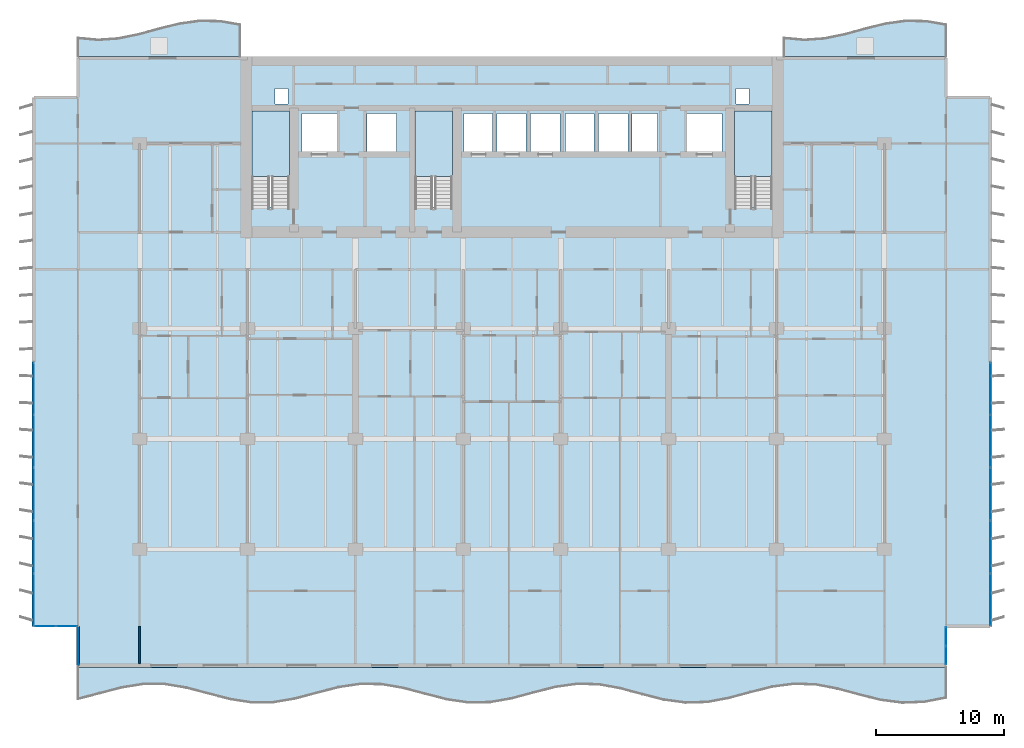
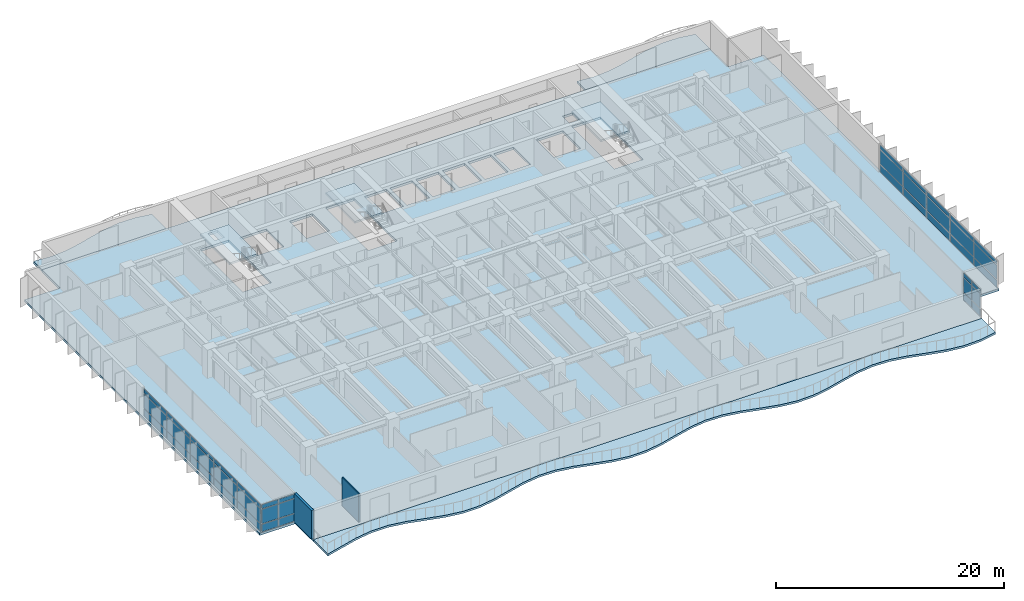
# One storey, part 5 of 18: 42 plates, 7 slabs, 2 walls, 7 elements without a shape of their own.
"""IFC4 building model written with IfcOpenShell, lengths in metres."""

from ifc_helpers import new_model, si_unit, direction, frame, frame_2d, origin, origin_2d, place, context, subcontext, project, spatial, polyline, rectangle, outline, extrude, material, layer, layer_set, type_object, element, aggregate, save


model = new_model("IFC4")

# Units and contexts
model_context = context("Model", 3, precision=1e-05, world=origin(), true_north=direction((0.0, 1.0)))
body_context = subcontext(model_context, "Body", "Model", "MODEL_VIEW")
ifc_project = project(units=[si_unit("LENGTHUNIT", "METRE"), si_unit("AREAUNIT", "SQUARE_METRE"), si_unit("VOLUMEUNIT", "CUBIC_METRE"), si_unit("PLANEANGLEUNIT", "RADIAN"), si_unit("MASSUNIT", "GRAM", prefix="KILO")], contexts=[model_context])

# Site, building, storey
site_placement = place(None, origin())
site = spatial("IfcSite", under=ifc_project, at=site_placement, CompositionType="ELEMENT")
building_placement = place(site_placement, origin())
building = spatial("IfcBuilding", under=site, at=building_placement, Name="Caelmar Bay Residences", CompositionType="ELEMENT")
storey_placement = place(building_placement, frame((0.0, 0.0, 43.199951171875)))
storey = spatial("IfcBuildingStorey", under=building, at=storey_placement, Name="L10", CompositionType="ELEMENT", Elevation=43.199951171875)

# Curtain wall, plates
ifc_material_1 = material(Name="Anodised bronze aluminium 6063-T6 and laminated glass", Category="aluminium")
ifc_layer_1 = layer(ifc_material_1, 0.179931640625)
ifc_layer_set_1 = layer_set([ifc_layer_1], Name="Anodised bronze aluminium 6063-T6 and laminated glass")
curtain_wall_type_1 = type_object("IfcCurtainWallType", Name="CW6-NTC", PredefinedType="NOTDEFINED", material=ifc_layer_set_1)
curtain_wall_1_placement = place(storey_placement, origin())
curtain_wall_1 = element("IfcCurtainWall", 1, at=curtain_wall_1_placement, inside=storey, type_object=curtain_wall_type_1, Name="CW6 curtain wall L10", PredefinedType="NOTDEFINED")
ifc_material_2 = material(Name="Bronze-tinted laminated low-E hurricane glass 28 mm", Category="glass")
ifc_layer_2 = layer(ifc_material_2, 0.028076171875)
ifc_layer_set_2 = layer_set([ifc_layer_2], Name="Bronze-tinted laminated low-E hurricane glass 28 mm")
plate_type = type_object("IfcPlateType", Name="CWP-GLZ28", PredefinedType="CURTAIN_PANEL", material=ifc_layer_set_2)
plate_1_placement = place(storey_placement, frame((2.532470703125, 6.199951171875, 0.080078125), z_axis=(0.0, 0.0, 1.0), x_axis=(1.0, 0.0, 0.0)))
plate_1 = element("IfcPlate", 2, at=plate_1_placement, type_object=plate_type, Name="CW6 panel 1.1", PredefinedType="CURTAIN_PANEL", context=body_context, shape_type="SweptSolid", body=[
    extrude(rectangle(XDim=1.60498046875, YDim=0.028076171875, at=origin_2d()), origin(), (0.0, 0.0, 1.0), 0.780029296875),
])
plate_2_placement = place(storey_placement, frame((2.532470703125, 6.199951171875, 0.93994140625), z_axis=(0.0, 0.0, 1.0), x_axis=(1.0, 0.0, 0.0)))
plate_2 = element("IfcPlate", 3, at=plate_2_placement, type_object=plate_type, Name="CW6 panel 1.2", PredefinedType="CURTAIN_PANEL", context=body_context, shape_type="SweptSolid", body=[
    extrude(rectangle(XDim=1.60498046875, YDim=0.028076171875, at=origin_2d()), origin(), (0.0, 0.0, 1.0), 1.52001953125),
])
plate_3_placement = place(storey_placement, frame((2.532470703125, 6.199951171875, 2.5400390625), z_axis=(0.0, 0.0, 1.0), x_axis=(1.0, 0.0, 0.0)))
plate_3 = element("IfcPlate", 4, at=plate_3_placement, type_object=plate_type, Name="CW6 panel 1.3", PredefinedType="CURTAIN_PANEL", context=body_context, shape_type="SweptSolid", body=[
    extrude(rectangle(XDim=1.60498046875, YDim=0.028076171875, at=origin_2d()), origin(), (0.0, 0.0, 1.0), 0.429931640625),
])
plate_4_placement = place(storey_placement, frame((4.217529296875, 6.199951171875, 0.080078125), z_axis=(0.0, 0.0, 1.0), x_axis=(1.0, 0.0, 0.0)))
plate_4 = element("IfcPlate", 5, at=plate_4_placement, type_object=plate_type, Name="CW6 panel 2.1", PredefinedType="CURTAIN_PANEL", context=body_context, shape_type="SweptSolid", body=[
    extrude(rectangle(XDim=1.60498046875, YDim=0.028076171875, at=origin_2d()), origin(), (0.0, 0.0, 1.0), 0.780029296875),
])
plate_5_placement = place(storey_placement, frame((4.217529296875, 6.199951171875, 0.93994140625), z_axis=(0.0, 0.0, 1.0), x_axis=(1.0, 0.0, 0.0)))
plate_5 = element("IfcPlate", 6, at=plate_5_placement, type_object=plate_type, Name="CW6 panel 2.2", PredefinedType="CURTAIN_PANEL", context=body_context, shape_type="SweptSolid", body=[
    extrude(rectangle(XDim=1.60498046875, YDim=0.028076171875, at=origin_2d()), origin(), (0.0, 0.0, 1.0), 1.52001953125),
])
plate_6_placement = place(storey_placement, frame((4.217529296875, 6.199951171875, 2.5400390625), z_axis=(0.0, 0.0, 1.0), x_axis=(1.0, 0.0, 0.0)))
plate_6 = element("IfcPlate", 7, at=plate_6_placement, type_object=plate_type, Name="CW6 panel 2.3", PredefinedType="CURTAIN_PANEL", context=body_context, shape_type="SweptSolid", body=[
    extrude(rectangle(XDim=1.60498046875, YDim=0.028076171875, at=origin_2d()), origin(), (0.0, 0.0, 1.0), 0.429931640625),
])
aggregate(curtain_wall_1, [plate_1, plate_2, plate_3, plate_4, plate_5, plate_6])

curtain_wall_2_placement = place(storey_placement, origin())
curtain_wall_2 = element("IfcCurtainWall", 8, at=curtain_wall_2_placement, inside=storey, type_object=curtain_wall_type_1, Name="CW6 curtain wall L10", PredefinedType="NOTDEFINED")
plate_7_placement = place(storey_placement, frame((72.699951171875, 3.9326171875, 0.080078125), z_axis=(0.0, 0.0, 1.0), x_axis=(0.0, 1.0, 0.0)))
plate_7 = element("IfcPlate", 9, at=plate_7_placement, type_object=plate_type, Name="CW6 panel 1.1", PredefinedType="CURTAIN_PANEL", context=body_context, shape_type="SweptSolid", body=[
    extrude(rectangle(XDim=1.405029296875, YDim=0.028076171875, at=origin_2d()), origin(), (0.0, 0.0, 1.0), 0.780029296875),
])
plate_8_placement = place(storey_placement, frame((72.699951171875, 3.9326171875, 0.93994140625), z_axis=(0.0, 0.0, 1.0), x_axis=(0.0, 1.0, 0.0)))
plate_8 = element("IfcPlate", 10, at=plate_8_placement, type_object=plate_type, Name="CW6 panel 1.2", PredefinedType="CURTAIN_PANEL", context=body_context, shape_type="SweptSolid", body=[
    extrude(rectangle(XDim=1.405029296875, YDim=0.028076171875, at=origin_2d()), origin(), (0.0, 0.0, 1.0), 1.52001953125),
])
plate_9_placement = place(storey_placement, frame((72.699951171875, 3.9326171875, 2.5400390625), z_axis=(0.0, 0.0, 1.0), x_axis=(0.0, 1.0, 0.0)))
plate_9 = element("IfcPlate", 11, at=plate_9_placement, type_object=plate_type, Name="CW6 panel 1.3", PredefinedType="CURTAIN_PANEL", context=body_context, shape_type="SweptSolid", body=[
    extrude(rectangle(XDim=1.405029296875, YDim=0.028076171875, at=origin_2d()), origin(), (0.0, 0.0, 1.0), 0.429931640625),
])
plate_10_placement = place(storey_placement, frame((72.699951171875, 5.41748046875, 0.080078125), z_axis=(0.0, 0.0, 1.0), x_axis=(0.0, 1.0, 0.0)))
plate_10 = element("IfcPlate", 12, at=plate_10_placement, type_object=plate_type, Name="CW6 panel 2.1", PredefinedType="CURTAIN_PANEL", context=body_context, shape_type="SweptSolid", body=[
    extrude(rectangle(XDim=1.405029296875, YDim=0.028076171875, at=origin_2d()), origin(), (0.0, 0.0, 1.0), 0.780029296875),
])
plate_11_placement = place(storey_placement, frame((72.699951171875, 5.41748046875, 0.93994140625), z_axis=(0.0, 0.0, 1.0), x_axis=(0.0, 1.0, 0.0)))
plate_11 = element("IfcPlate", 13, at=plate_11_placement, type_object=plate_type, Name="CW6 panel 2.2", PredefinedType="CURTAIN_PANEL", context=body_context, shape_type="SweptSolid", body=[
    extrude(rectangle(XDim=1.405029296875, YDim=0.028076171875, at=origin_2d()), origin(), (0.0, 0.0, 1.0), 1.52001953125),
])
plate_12_placement = place(storey_placement, frame((72.699951171875, 5.41748046875, 2.5400390625), z_axis=(0.0, 0.0, 1.0), x_axis=(0.0, 1.0, 0.0)))
plate_12 = element("IfcPlate", 14, at=plate_12_placement, type_object=plate_type, Name="CW6 panel 2.3", PredefinedType="CURTAIN_PANEL", context=body_context, shape_type="SweptSolid", body=[
    extrude(rectangle(XDim=1.405029296875, YDim=0.028076171875, at=origin_2d()), origin(), (0.0, 0.0, 1.0), 0.429931640625),
])
aggregate(curtain_wall_2, [plate_7, plate_8, plate_9, plate_10, plate_11, plate_12])

ifc_layer_3 = layer(ifc_material_1, 0.179931640625)
ifc_layer_set_3 = layer_set([ifc_layer_3], Name="Anodised bronze aluminium 6063-T6 and laminated glass")
curtain_wall_type_2 = type_object("IfcCurtainWallType", Name="CW2-Z1", PredefinedType="NOTDEFINED", material=ifc_layer_set_3)
curtain_wall_3_placement = place(storey_placement, origin())
curtain_wall_3 = element("IfcCurtainWall", 15, at=curtain_wall_3_placement, inside=storey, type_object=curtain_wall_type_2, Name="CW2 curtain wall L10", PredefinedType="NOTDEFINED")
plate_13_placement = place(storey_placement, frame((1.64990234375, 8.280029296875, 0.080078125), z_axis=(0.0, 0.0, 1.0), x_axis=(0.0, 1.0, 0.0)))
plate_13 = element("IfcPlate", 16, at=plate_13_placement, type_object=plate_type, Name="CW2 panel 1.1", PredefinedType="CURTAIN_PANEL", context=body_context, shape_type="SweptSolid", body=[
    extrude(rectangle(XDim=4.0, YDim=0.028076171875, at=origin_2d()), origin(), (0.0, 0.0, 1.0), 0.780029296875),
])
plate_14_placement = place(storey_placement, frame((1.64990234375, 8.280029296875, 0.93994140625), z_axis=(0.0, 0.0, 1.0), x_axis=(0.0, 1.0, 0.0)))
plate_14 = element("IfcPlate", 17, at=plate_14_placement, type_object=plate_type, Name="CW2 panel 1.2", PredefinedType="CURTAIN_PANEL", context=body_context, shape_type="SweptSolid", body=[
    extrude(rectangle(XDim=4.0, YDim=0.028076171875, at=origin_2d()), origin(), (0.0, 0.0, 1.0), 1.52001953125),
])
plate_15_placement = place(storey_placement, frame((1.64990234375, 8.280029296875, 2.5400390625), z_axis=(0.0, 0.0, 1.0), x_axis=(0.0, 1.0, 0.0)))
plate_15 = element("IfcPlate", 18, at=plate_15_placement, type_object=plate_type, Name="CW2 panel 1.3", PredefinedType="CURTAIN_PANEL", context=body_context, shape_type="SweptSolid", body=[
    extrude(rectangle(XDim=4.0, YDim=0.028076171875, at=origin_2d()), origin(), (0.0, 0.0, 1.0), 0.429931640625),
])
plate_16_placement = place(storey_placement, frame((1.64990234375, 12.3798828125, 0.080078125), z_axis=(0.0, 0.0, 1.0), x_axis=(0.0, 1.0, 0.0)))
plate_16 = element("IfcPlate", 19, at=plate_16_placement, type_object=plate_type, Name="CW2 panel 2.1", PredefinedType="CURTAIN_PANEL", context=body_context, shape_type="SweptSolid", body=[
    extrude(rectangle(XDim=4.0400390625, YDim=0.028076171875, at=origin_2d()), origin(), (0.0, 0.0, 1.0), 0.780029296875),
])
plate_17_placement = place(storey_placement, frame((1.64990234375, 12.3798828125, 0.93994140625), z_axis=(0.0, 0.0, 1.0), x_axis=(0.0, 1.0, 0.0)))
plate_17 = element("IfcPlate", 20, at=plate_17_placement, type_object=plate_type, Name="CW2 panel 2.2", PredefinedType="CURTAIN_PANEL", context=body_context, shape_type="SweptSolid", body=[
    extrude(rectangle(XDim=4.0400390625, YDim=0.028076171875, at=origin_2d()), origin(), (0.0, 0.0, 1.0), 1.52001953125),
])
plate_18_placement = place(storey_placement, frame((1.64990234375, 12.3798828125, 2.5400390625), z_axis=(0.0, 0.0, 1.0), x_axis=(0.0, 1.0, 0.0)))
plate_18 = element("IfcPlate", 21, at=plate_18_placement, type_object=plate_type, Name="CW2 panel 2.3", PredefinedType="CURTAIN_PANEL", context=body_context, shape_type="SweptSolid", body=[
    extrude(rectangle(XDim=4.0400390625, YDim=0.028076171875, at=origin_2d()), origin(), (0.0, 0.0, 1.0), 0.429931640625),
])
plate_19_placement = place(storey_placement, frame((1.64990234375, 16.5, 0.080078125), z_axis=(0.0, 0.0, 1.0), x_axis=(0.0, 1.0, 0.0)))
plate_19 = element("IfcPlate", 22, at=plate_19_placement, type_object=plate_type, Name="CW2 panel 3.1", PredefinedType="CURTAIN_PANEL", context=body_context, shape_type="SweptSolid", body=[
    extrude(rectangle(XDim=4.0400390625, YDim=0.028076171875, at=origin_2d()), origin(), (0.0, 0.0, 1.0), 0.780029296875),
])
plate_20_placement = place(storey_placement, frame((1.64990234375, 16.5, 0.93994140625), z_axis=(0.0, 0.0, 1.0), x_axis=(0.0, 1.0, 0.0)))
plate_20 = element("IfcPlate", 23, at=plate_20_placement, type_object=plate_type, Name="CW2 panel 3.2", PredefinedType="CURTAIN_PANEL", context=body_context, shape_type="SweptSolid", body=[
    extrude(rectangle(XDim=4.0400390625, YDim=0.028076171875, at=origin_2d()), origin(), (0.0, 0.0, 1.0), 1.52001953125),
])
plate_21_placement = place(storey_placement, frame((1.64990234375, 16.5, 2.5400390625), z_axis=(0.0, 0.0, 1.0), x_axis=(0.0, 1.0, 0.0)))
plate_21 = element("IfcPlate", 24, at=plate_21_placement, type_object=plate_type, Name="CW2 panel 3.3", PredefinedType="CURTAIN_PANEL", context=body_context, shape_type="SweptSolid", body=[
    extrude(rectangle(XDim=4.0400390625, YDim=0.028076171875, at=origin_2d()), origin(), (0.0, 0.0, 1.0), 0.429931640625),
])
plate_22_placement = place(storey_placement, frame((1.64990234375, 20.6201171875, 0.080078125), z_axis=(0.0, 0.0, 1.0), x_axis=(0.0, 1.0, 0.0)))
plate_22 = element("IfcPlate", 25, at=plate_22_placement, type_object=plate_type, Name="CW2 panel 4.1", PredefinedType="CURTAIN_PANEL", context=body_context, shape_type="SweptSolid", body=[
    extrude(rectangle(XDim=4.0400390625, YDim=0.028076171875, at=origin_2d()), origin(), (0.0, 0.0, 1.0), 0.780029296875),
])
plate_23_placement = place(storey_placement, frame((1.64990234375, 20.6201171875, 0.93994140625), z_axis=(0.0, 0.0, 1.0), x_axis=(0.0, 1.0, 0.0)))
plate_23 = element("IfcPlate", 26, at=plate_23_placement, type_object=plate_type, Name="CW2 panel 4.2", PredefinedType="CURTAIN_PANEL", context=body_context, shape_type="SweptSolid", body=[
    extrude(rectangle(XDim=4.0400390625, YDim=0.028076171875, at=origin_2d()), origin(), (0.0, 0.0, 1.0), 1.52001953125),
])
plate_24_placement = place(storey_placement, frame((1.64990234375, 20.6201171875, 2.5400390625), z_axis=(0.0, 0.0, 1.0), x_axis=(0.0, 1.0, 0.0)))
plate_24 = element("IfcPlate", 27, at=plate_24_placement, type_object=plate_type, Name="CW2 panel 4.3", PredefinedType="CURTAIN_PANEL", context=body_context, shape_type="SweptSolid", body=[
    extrude(rectangle(XDim=4.0400390625, YDim=0.028076171875, at=origin_2d()), origin(), (0.0, 0.0, 1.0), 0.429931640625),
])
plate_25_placement = place(storey_placement, frame((1.64990234375, 24.719970703125, 0.080078125), z_axis=(0.0, 0.0, 1.0), x_axis=(0.0, 1.0, 0.0)))
plate_25 = element("IfcPlate", 28, at=plate_25_placement, type_object=plate_type, Name="CW2 panel 5.1", PredefinedType="CURTAIN_PANEL", context=body_context, shape_type="SweptSolid", body=[
    extrude(rectangle(XDim=4.0, YDim=0.028076171875, at=origin_2d()), origin(), (0.0, 0.0, 1.0), 0.780029296875),
])
plate_26_placement = place(storey_placement, frame((1.64990234375, 24.719970703125, 0.93994140625), z_axis=(0.0, 0.0, 1.0), x_axis=(0.0, 1.0, 0.0)))
plate_26 = element("IfcPlate", 29, at=plate_26_placement, type_object=plate_type, Name="CW2 panel 5.2", PredefinedType="CURTAIN_PANEL", context=body_context, shape_type="SweptSolid", body=[
    extrude(rectangle(XDim=4.0, YDim=0.028076171875, at=origin_2d()), origin(), (0.0, 0.0, 1.0), 1.52001953125),
])
plate_27_placement = place(storey_placement, frame((1.64990234375, 24.719970703125, 2.5400390625), z_axis=(0.0, 0.0, 1.0), x_axis=(0.0, 1.0, 0.0)))
plate_27 = element("IfcPlate", 30, at=plate_27_placement, type_object=plate_type, Name="CW2 panel 5.3", PredefinedType="CURTAIN_PANEL", context=body_context, shape_type="SweptSolid", body=[
    extrude(rectangle(XDim=4.0, YDim=0.028076171875, at=origin_2d()), origin(), (0.0, 0.0, 1.0), 0.429931640625),
])
aggregate(curtain_wall_3, [plate_13, plate_14, plate_15, plate_16, plate_17, plate_18, plate_19, plate_20, plate_21, plate_22, plate_23, plate_24, plate_25, plate_26, plate_27])

curtain_wall_4_placement = place(storey_placement, origin())
curtain_wall_4 = element("IfcCurtainWall", 31, at=curtain_wall_4_placement, inside=storey, type_object=curtain_wall_type_2, Name="CW2 curtain wall L10", PredefinedType="NOTDEFINED")
plate_28_placement = place(storey_placement, frame((76.14990234375, 24.719970703125, 0.080078125), z_axis=(0.0, 0.0, 1.0), x_axis=(0.0, -1.0, 0.0)))
plate_28 = element("IfcPlate", 32, at=plate_28_placement, type_object=plate_type, Name="CW2 panel 1.1", PredefinedType="CURTAIN_PANEL", context=body_context, shape_type="SweptSolid", body=[
    extrude(rectangle(XDim=4.0, YDim=0.028076171875, at=origin_2d()), origin(), (0.0, 0.0, 1.0), 0.780029296875),
])
plate_29_placement = place(storey_placement, frame((76.14990234375, 24.719970703125, 0.93994140625), z_axis=(0.0, 0.0, 1.0), x_axis=(0.0, -1.0, 0.0)))
plate_29 = element("IfcPlate", 33, at=plate_29_placement, type_object=plate_type, Name="CW2 panel 1.2", PredefinedType="CURTAIN_PANEL", context=body_context, shape_type="SweptSolid", body=[
    extrude(rectangle(XDim=4.0, YDim=0.028076171875, at=origin_2d()), origin(), (0.0, 0.0, 1.0), 1.52001953125),
])
plate_30_placement = place(storey_placement, frame((76.14990234375, 24.719970703125, 2.5400390625), z_axis=(0.0, 0.0, 1.0), x_axis=(0.0, -1.0, 0.0)))
plate_30 = element("IfcPlate", 34, at=plate_30_placement, type_object=plate_type, Name="CW2 panel 1.3", PredefinedType="CURTAIN_PANEL", context=body_context, shape_type="SweptSolid", body=[
    extrude(rectangle(XDim=4.0, YDim=0.028076171875, at=origin_2d()), origin(), (0.0, 0.0, 1.0), 0.429931640625),
])
plate_31_placement = place(storey_placement, frame((76.14990234375, 20.6201171875, 0.080078125), z_axis=(0.0, 0.0, 1.0), x_axis=(0.0, -1.0, 0.0)))
plate_31 = element("IfcPlate", 35, at=plate_31_placement, type_object=plate_type, Name="CW2 panel 2.1", PredefinedType="CURTAIN_PANEL", context=body_context, shape_type="SweptSolid", body=[
    extrude(rectangle(XDim=4.0400390625, YDim=0.028076171875, at=origin_2d()), origin(), (0.0, 0.0, 1.0), 0.780029296875),
])
plate_32_placement = place(storey_placement, frame((76.14990234375, 20.6201171875, 0.93994140625), z_axis=(0.0, 0.0, 1.0), x_axis=(0.0, -1.0, 0.0)))
plate_32 = element("IfcPlate", 36, at=plate_32_placement, type_object=plate_type, Name="CW2 panel 2.2", PredefinedType="CURTAIN_PANEL", context=body_context, shape_type="SweptSolid", body=[
    extrude(rectangle(XDim=4.0400390625, YDim=0.028076171875, at=origin_2d()), origin(), (0.0, 0.0, 1.0), 1.52001953125),
])
plate_33_placement = place(storey_placement, frame((76.14990234375, 20.6201171875, 2.5400390625), z_axis=(0.0, 0.0, 1.0), x_axis=(0.0, -1.0, 0.0)))
plate_33 = element("IfcPlate", 37, at=plate_33_placement, type_object=plate_type, Name="CW2 panel 2.3", PredefinedType="CURTAIN_PANEL", context=body_context, shape_type="SweptSolid", body=[
    extrude(rectangle(XDim=4.0400390625, YDim=0.028076171875, at=origin_2d()), origin(), (0.0, 0.0, 1.0), 0.429931640625),
])
plate_34_placement = place(storey_placement, frame((76.14990234375, 16.5, 0.080078125), z_axis=(0.0, 0.0, 1.0), x_axis=(0.0, -1.0, 0.0)))
plate_34 = element("IfcPlate", 38, at=plate_34_placement, type_object=plate_type, Name="CW2 panel 3.1", PredefinedType="CURTAIN_PANEL", context=body_context, shape_type="SweptSolid", body=[
    extrude(rectangle(XDim=4.0400390625, YDim=0.028076171875, at=origin_2d()), origin(), (0.0, 0.0, 1.0), 0.780029296875),
])
plate_35_placement = place(storey_placement, frame((76.14990234375, 16.5, 0.93994140625), z_axis=(0.0, 0.0, 1.0), x_axis=(0.0, -1.0, 0.0)))
plate_35 = element("IfcPlate", 39, at=plate_35_placement, type_object=plate_type, Name="CW2 panel 3.2", PredefinedType="CURTAIN_PANEL", context=body_context, shape_type="SweptSolid", body=[
    extrude(rectangle(XDim=4.0400390625, YDim=0.028076171875, at=origin_2d()), origin(), (0.0, 0.0, 1.0), 1.52001953125),
])
plate_36_placement = place(storey_placement, frame((76.14990234375, 16.5, 2.5400390625), z_axis=(0.0, 0.0, 1.0), x_axis=(0.0, -1.0, 0.0)))
plate_36 = element("IfcPlate", 40, at=plate_36_placement, type_object=plate_type, Name="CW2 panel 3.3", PredefinedType="CURTAIN_PANEL", context=body_context, shape_type="SweptSolid", body=[
    extrude(rectangle(XDim=4.0400390625, YDim=0.028076171875, at=origin_2d()), origin(), (0.0, 0.0, 1.0), 0.429931640625),
])
plate_37_placement = place(storey_placement, frame((76.14990234375, 12.3798828125, 0.080078125), z_axis=(0.0, 0.0, 1.0), x_axis=(0.0, -1.0, 0.0)))
plate_37 = element("IfcPlate", 41, at=plate_37_placement, type_object=plate_type, Name="CW2 panel 4.1", PredefinedType="CURTAIN_PANEL", context=body_context, shape_type="SweptSolid", body=[
    extrude(rectangle(XDim=4.0400390625, YDim=0.028076171875, at=origin_2d()), origin(), (0.0, 0.0, 1.0), 0.780029296875),
])
plate_38_placement = place(storey_placement, frame((76.14990234375, 12.3798828125, 0.93994140625), z_axis=(0.0, 0.0, 1.0), x_axis=(0.0, -1.0, 0.0)))
plate_38 = element("IfcPlate", 42, at=plate_38_placement, type_object=plate_type, Name="CW2 panel 4.2", PredefinedType="CURTAIN_PANEL", context=body_context, shape_type="SweptSolid", body=[
    extrude(rectangle(XDim=4.0400390625, YDim=0.028076171875, at=origin_2d()), origin(), (0.0, 0.0, 1.0), 1.52001953125),
])
plate_39_placement = place(storey_placement, frame((76.14990234375, 12.3798828125, 2.5400390625), z_axis=(0.0, 0.0, 1.0), x_axis=(0.0, -1.0, 0.0)))
plate_39 = element("IfcPlate", 43, at=plate_39_placement, type_object=plate_type, Name="CW2 panel 4.3", PredefinedType="CURTAIN_PANEL", context=body_context, shape_type="SweptSolid", body=[
    extrude(rectangle(XDim=4.0400390625, YDim=0.028076171875, at=origin_2d()), origin(), (0.0, 0.0, 1.0), 0.429931640625),
])
plate_40_placement = place(storey_placement, frame((76.14990234375, 8.280029296875, 0.080078125), z_axis=(0.0, 0.0, 1.0), x_axis=(0.0, -1.0, 0.0)))
plate_40 = element("IfcPlate", 44, at=plate_40_placement, type_object=plate_type, Name="CW2 panel 5.1", PredefinedType="CURTAIN_PANEL", context=body_context, shape_type="SweptSolid", body=[
    extrude(rectangle(XDim=4.0, YDim=0.028076171875, at=origin_2d()), origin(), (0.0, 0.0, 1.0), 0.780029296875),
])
plate_41_placement = place(storey_placement, frame((76.14990234375, 8.280029296875, 0.93994140625), z_axis=(0.0, 0.0, 1.0), x_axis=(0.0, -1.0, 0.0)))
plate_41 = element("IfcPlate", 45, at=plate_41_placement, type_object=plate_type, Name="CW2 panel 5.2", PredefinedType="CURTAIN_PANEL", context=body_context, shape_type="SweptSolid", body=[
    extrude(rectangle(XDim=4.0, YDim=0.028076171875, at=origin_2d()), origin(), (0.0, 0.0, 1.0), 1.52001953125),
])
plate_42_placement = place(storey_placement, frame((76.14990234375, 8.280029296875, 2.5400390625), z_axis=(0.0, 0.0, 1.0), x_axis=(0.0, -1.0, 0.0)))
plate_42 = element("IfcPlate", 46, at=plate_42_placement, type_object=plate_type, Name="CW2 panel 5.3", PredefinedType="CURTAIN_PANEL", context=body_context, shape_type="SweptSolid", body=[
    extrude(rectangle(XDim=4.0, YDim=0.028076171875, at=origin_2d()), origin(), (0.0, 0.0, 1.0), 0.429931640625),
])
aggregate(curtain_wall_4, [plate_28, plate_29, plate_30, plate_31, plate_32, plate_33, plate_34, plate_35, plate_36, plate_37, plate_38, plate_39, plate_40, plate_41, plate_42])

# Slabs
ifc_material_3 = material(Name="Concrete f'c 40 MPa (6,000 psi)", Category="concrete")
ifc_layer_4 = layer(ifc_material_3, 0.219970703125)
ifc_layer_set_4 = layer_set([ifc_layer_4], Name="Concrete f'c 40 MPa (6,000 psi)")
slab_type_1 = type_object("IfcSlabType", Name="SLB-BAL-220", PredefinedType="FLOOR", material=ifc_layer_set_4)
slab_1_placement = place(storey_placement, frame((0.0, 0.0, -0.219970703125)))
element("IfcSlab", 47, at=slab_1_placement, inside=storey, type_object=slab_type_1, Name="L10 Sinusoidal Tree-Balcony Slab south", PredefinedType="FLOOR", context=body_context, shape_type="SweptSolid", body=[
    extrude(outline(polyline([(5.10009765625, 0.459228515625), (6.7900390625, 0.90283203125), (8.47998046875, 1.345458984375), (10.169921875, 1.61572265625), (11.860107421875, 1.609619140625), (13.550048828125, 1.329345703125), (15.239990234375, 0.88330078125), (16.929931640625, 0.443359375), (18.6201171875, 0.18017578125), (20.31005859375, 0.19482421875), (22.0, 0.482177734375), (23.68994140625, 0.930908203125), (25.3798828125, 1.36767578125), (27.070068359375, 1.623779296875), (28.760009765625, 1.60009765625), (30.449951171875, 1.30615234375), (32.139892578125, 0.85498046875), (33.830078125, 0.42138671875), (35.52001953125, 0.172607421875), (37.2099609375, 0.205078125), (38.89990234375, 0.505615234375), (40.590087890625, 0.958740234375), (42.280029296875, 1.38916015625), (43.969970703125, 1.630615234375), (45.659912109375, 1.589599609375), (47.35009765625, 1.2822265625), (49.0400390625, 0.8271484375), (50.72998046875, 0.400146484375), (52.419921875, 0.16650390625), (54.110107421875, 0.216064453125), (55.800048828125, 0.52978515625), (57.489990234375, 0.98681640625), (59.179931640625, 1.41015625), (60.8701171875, 1.636474609375), (62.56005859375, 1.578125), (64.25, 1.2578125), (65.93994140625, 0.79931640625), (67.6298828125, 0.379638671875), (69.320068359375, 0.1611328125), (71.010009765625, 0.22802734375), (72.699951171875, 0.554443359375), (72.699951171875, 3.0), (5.10009765625, 3.0), (5.10009765625, 0.459228515625)])), origin(), (0.0, 0.0, 1.0), 0.219970703125),
])
slab_2_placement = place(storey_placement, frame((0.0, 0.0, -0.219970703125)))
element("IfcSlab", 48, at=slab_2_placement, inside=storey, type_object=slab_type_1, Name="L10 Sinusoidal Tree-Balcony Slab north_west", PredefinedType="FLOOR", context=body_context, shape_type="SweptSolid", body=[
    extrude(outline(polyline([(5.10009765625, 50.60009765625), (17.699951171875, 50.60009765625), (17.699951171875, 53.140869140625), (16.125, 53.403564453125), (14.550048828125, 53.42919921875), (12.97509765625, 53.208984375), (11.39990234375, 52.8173828125), (9.824951171875, 52.385986328125), (8.25, 52.060546875), (6.675048828125, 51.95068359375), (5.10009765625, 52.09326171875), (5.10009765625, 50.60009765625)])), origin(), (0.0, 0.0, 1.0), 0.219970703125),
])
slab_3_placement = place(storey_placement, frame((0.0, 0.0, -0.219970703125)))
element("IfcSlab", 49, at=slab_3_placement, inside=storey, type_object=slab_type_1, Name="L10 Sinusoidal Tree-Balcony Slab north_east", PredefinedType="FLOOR", context=body_context, shape_type="SweptSolid", body=[
    extrude(outline(polyline([(60.10009765625, 50.60009765625), (72.699951171875, 50.60009765625), (72.699951171875, 53.140869140625), (71.125, 53.403564453125), (69.550048828125, 53.42919921875), (67.97509765625, 53.208984375), (66.39990234375, 52.8173828125), (64.824951171875, 52.385986328125), (63.25, 52.060546875), (61.675048828125, 51.95068359375), (60.10009765625, 52.09326171875), (60.10009765625, 50.60009765625)])), origin(), (0.0, 0.0, 1.0), 0.219970703125),
])

# Stair, slab
stair_type = type_object("IfcStairType", Name="ST-TYP-165", PredefinedType="HALF_TURN_STAIR", material=ifc_material_3)
stair_1_placement = place(storey_placement, origin())
stair_1 = element("IfcStair", 50, at=stair_1_placement, inside=storey, type_object=stair_type, Name="L10 West Smokeproof Exit Stair ST1", PredefinedType="HALF_TURN_STAIR")
ifc_layer_5 = layer(ifc_material_3, 0.199951171875)
ifc_layer_set_5 = layer_set([ifc_layer_5], Name="Concrete f'c 40 MPa (6,000 psi)")
slab_type_2 = type_object("IfcSlabType", Name="SLB-LND-200", PredefinedType="LANDING", material=ifc_layer_set_5)
slab_4_placement = place(storey_placement, frame((0.0, 0.0, 1.449951171875)))
slab_4 = element("IfcSlab", 51, at=slab_4_placement, type_object=slab_type_2, Name="ST1 landing 1", PredefinedType="LANDING", context=body_context, shape_type="SweptSolid", body=[
    extrude(outline(polyline([(21.550048828125, 41.219970703125), (21.550048828125, 46.35009765625), (18.64990234375, 46.35009765625), (18.64990234375, 41.219970703125), (21.550048828125, 41.219970703125)])), origin(), (0.0, 0.0, 1.0), 0.2001953125),
])
aggregate(stair_1, [slab_4])

stair_2_placement = place(storey_placement, origin())
stair_2 = element("IfcStair", 52, at=stair_2_placement, inside=storey, type_object=stair_type, Name="L10 East Smokeproof Exit Stair ST2", PredefinedType="HALF_TURN_STAIR")
slab_5_placement = place(storey_placement, frame((0.0, 0.0, 1.449951171875)))
slab_5 = element("IfcSlab", 53, at=slab_5_placement, type_object=slab_type_2, Name="ST2 landing 1", PredefinedType="LANDING", context=body_context, shape_type="SweptSolid", body=[
    extrude(outline(polyline([(59.14990234375, 41.219970703125), (59.14990234375, 46.35009765625), (56.25, 46.35009765625), (56.25, 41.219970703125), (59.14990234375, 41.219970703125)])), origin(), (0.0, 0.0, 1.0), 0.2001953125),
])
aggregate(stair_2, [slab_5])

stair_3_placement = place(storey_placement, origin())
stair_3 = element("IfcStair", 54, at=stair_3_placement, inside=storey, type_object=stair_type, Name="L10 Central Smokeproof Exit Stair ST3", PredefinedType="HALF_TURN_STAIR")
slab_6_placement = place(storey_placement, frame((0.0, 0.0, 1.449951171875)))
slab_6 = element("IfcSlab", 55, at=slab_6_placement, type_object=slab_type_2, Name="ST3 landing 1", PredefinedType="LANDING", context=body_context, shape_type="SweptSolid", body=[
    extrude(outline(polyline([(34.25, 41.219970703125), (34.25, 46.35009765625), (31.35009765625, 46.35009765625), (31.35009765625, 41.219970703125), (34.25, 41.219970703125)])), origin(), (0.0, 0.0, 1.0), 0.2001953125),
])
aggregate(stair_3, [slab_6])

# Slab
ifc_layer_6 = layer(ifc_material_3, 0.25)
ifc_layer_set_6 = layer_set([ifc_layer_6], Name="Concrete f'c 40 MPa (6,000 psi)")
slab_type_3 = type_object("IfcSlabType", Name="SLB-RES-250", PredefinedType="FLOOR", material=ifc_layer_set_6)
slab_7_placement = place(storey_placement, frame((0.0, 0.0, -0.25)))
element("IfcSlab", 56, at=slab_7_placement, inside=storey, type_object=slab_type_3, Name="L10 Structural Floor Slab", PredefinedType="FLOOR", context=body_context, shape_type="SweptSolid", body=[
    extrude(outline(polyline([(5.10009765625, 3.0), (72.699951171875, 3.0), (72.699951171875, 6.199951171875), (76.300048828125, 6.199951171875), (76.300048828125, 47.39990234375), (72.699951171875, 47.39990234375), (72.699951171875, 50.60009765625), (5.10009765625, 50.60009765625), (5.10009765625, 47.39990234375), (1.5, 47.39990234375), (1.5, 6.199951171875), (5.10009765625, 6.199951171875), (5.10009765625, 3.0)]), holes=[polyline([(18.64990234375, 38.85009765625), (21.550048828125, 38.85009765625), (21.550048828125, 46.35009765625), (18.64990234375, 46.35009765625), (18.64990234375, 38.85009765625)]), polyline([(56.25, 38.85009765625), (59.14990234375, 38.85009765625), (59.14990234375, 46.35009765625), (56.25, 46.35009765625), (56.25, 38.85009765625)]), polyline([(31.35009765625, 38.85009765625), (34.25, 38.85009765625), (34.25, 46.35009765625), (31.35009765625, 46.35009765625), (31.35009765625, 38.85009765625)]), polyline([(22.550048828125, 43.050048828125), (25.25, 43.050048828125), (25.25, 46.14990234375), (22.550048828125, 46.14990234375), (22.550048828125, 43.050048828125)]), polyline([(52.550048828125, 43.050048828125), (55.25, 43.050048828125), (55.25, 46.14990234375), (52.550048828125, 46.14990234375), (52.550048828125, 43.050048828125)]), polyline([(35.14990234375, 43.14990234375), (37.39990234375, 43.14990234375), (37.39990234375, 46.14990234375), (35.14990234375, 46.14990234375), (35.14990234375, 43.14990234375)]), polyline([(37.75, 43.14990234375), (40.0, 43.14990234375), (40.0, 46.14990234375), (37.75, 46.14990234375), (37.75, 43.14990234375)]), polyline([(40.35009765625, 43.14990234375), (42.64990234375, 43.14990234375), (42.64990234375, 46.14990234375), (40.35009765625, 46.14990234375), (40.35009765625, 43.14990234375)]), polyline([(43.050048828125, 43.14990234375), (45.300048828125, 43.14990234375), (45.300048828125, 46.14990234375), (43.050048828125, 46.14990234375), (43.050048828125, 43.14990234375)]), polyline([(45.64990234375, 43.14990234375), (47.949951171875, 43.14990234375), (47.949951171875, 46.14990234375), (45.64990234375, 46.14990234375), (45.64990234375, 43.14990234375)]), polyline([(48.25, 43.14990234375), (50.25, 43.14990234375), (50.25, 46.14990234375), (48.25, 46.14990234375), (48.25, 43.14990234375)]), polyline([(27.60009765625, 43.14990234375), (29.89990234375, 43.14990234375), (29.89990234375, 46.14990234375), (27.60009765625, 46.14990234375), (27.60009765625, 43.14990234375)]), polyline([(20.449951171875, 46.89990234375), (21.449951171875, 46.89990234375), (21.449951171875, 48.10009765625), (20.449951171875, 48.10009765625), (20.449951171875, 46.89990234375)]), polyline([(56.35009765625, 46.89990234375), (57.35009765625, 46.89990234375), (57.35009765625, 48.10009765625), (56.35009765625, 48.10009765625), (56.35009765625, 46.89990234375)])]), origin(), (0.0, 0.0, 1.0), 0.25),
])

# Walls
ifc_material_4 = material(Name="Precast concrete f'c 40 MPa (6,000 psi)", Category="concrete")
ifc_layer_7 = layer(ifc_material_4, 0.25)
ifc_layer_set_7 = layer_set([ifc_layer_7], Name="Precast concrete f'c 40 MPa (6,000 psi)")
wall_type_1 = type_object("IfcWallType", Name="W-EXT-250", PredefinedType="ELEMENTEDWALL", material=ifc_layer_set_7)
wall_1_placement = place(storey_placement, frame((5.10009765625, 6.199951171875, 0.0), z_axis=(0.0, 0.0, 1.0), x_axis=(0.0, -1.0, 0.0)))
element("IfcWall", 57, at=wall_1_placement, inside=storey, type_object=wall_type_1, Name="L10 SW Notch Return Wall", PredefinedType="ELEMENTEDWALL", context=body_context, shape_type="SweptSolid", body=[
    extrude(rectangle(XDim=3.050048828125, YDim=0.25, at=frame_2d((1.52490234375, 0.0))), origin(), (0.0, 0.0, 1.0), 3.050048828125),
])
ifc_material_5 = material(Name="Acoustic metal-stud gypsum partition 120 mm")
ifc_layer_8 = layer(ifc_material_5, 0.1201171875)
ifc_layer_set_8 = layer_set([ifc_layer_8], Name="Acoustic metal-stud gypsum partition 120 mm")
wall_type_2 = type_object("IfcWallType", Name="W-PRT-120", PredefinedType="PARTITIONING", material=ifc_layer_set_8)
wall_2_placement = place(storey_placement, frame((9.89990234375, 3.294921875, 0.0), z_axis=(0.0, 0.0, 1.0), x_axis=(0.0, 1.0, 0.0)))
element("IfcWall", 58, at=wall_2_placement, inside=storey, type_object=wall_type_2, Name="L10 Partition Wall V008", PredefinedType="PARTITIONING", context=body_context, shape_type="SweptSolid", body=[
    extrude(rectangle(XDim=2.905029296875, YDim=0.1201171875, at=frame_2d((1.45263671875, 0.0))), origin(), (0.0, 0.0, 1.0), 3.050048828125),
])

save(model, "model.ifc")
